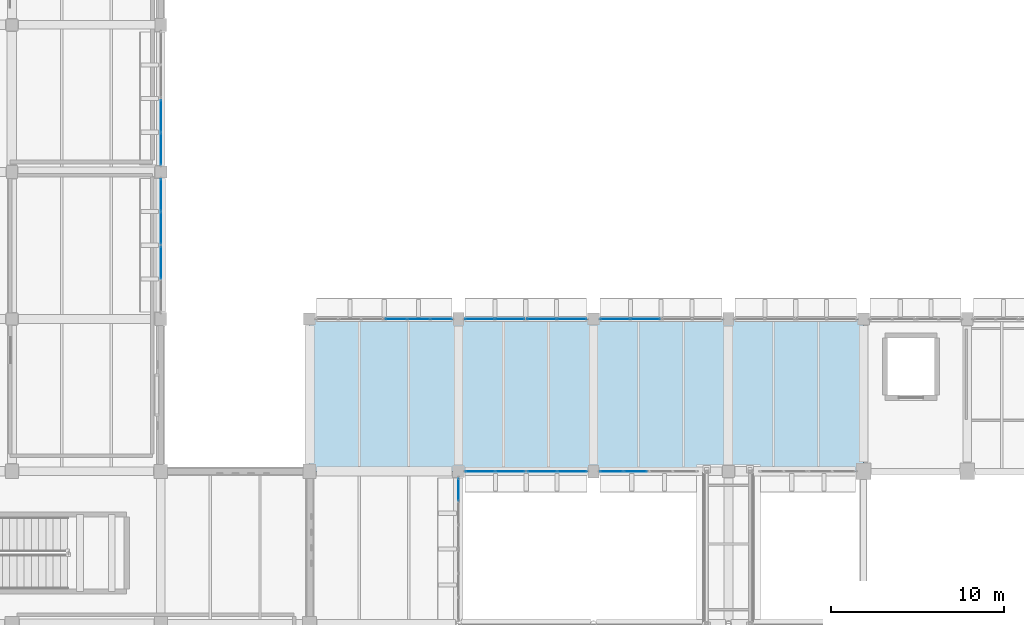
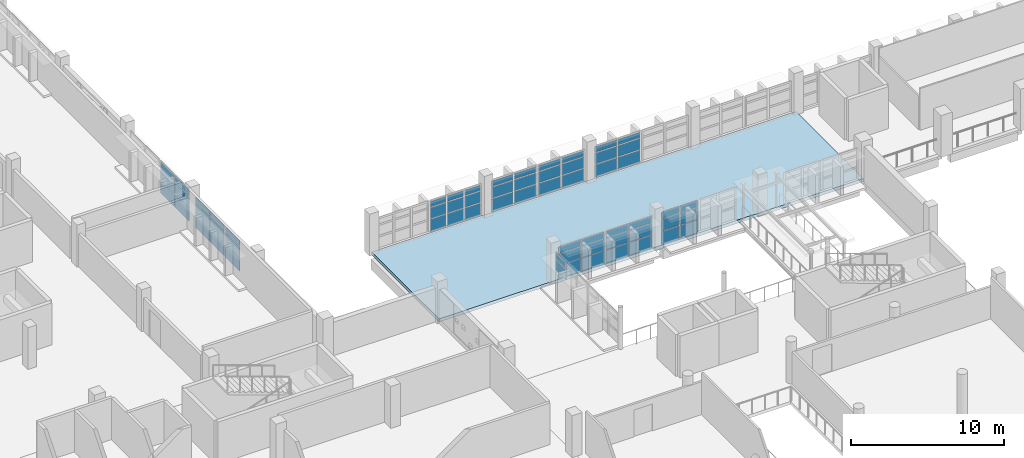
# One storey, part 47 of 75: 62 plates, 1 slab, 11 elements without a shape of their own.
"""IFC4 building model written with IfcOpenShell, lengths in metres."""

import ifcopenshell
import ifcopenshell.guid

model = None  # the IFC model being written
_history = None  # IfcOwnerHistory: only IFC2X3 demands one
_inside = {}  # id of a spatial element -> (the spatial element, [elements in it])
_under = {}  # id of a project, library or spatial element -> (it, [spatial elements below it])
_declared = {}  # id of a project -> (the project, [libraries it declares])
_typed = {}  # id of a type object -> (the type object, [elements of that type])
_made_of = {}  # id of a material, layer set ... -> (it, [elements and type objects made of it])


def new_model(schema):
    """Start an empty IFC model of exactly this schema.

    Asked for "IFC4X3", IfcOpenShell would pick the latest addendum, in which some entities
    have other attributes; the version numbers below select the first issue.
    IFC2X3 requires an IfcOwnerHistory on every rooted entity: one is made here for all.
    """
    global model, _history
    if schema == "IFC4X3":
        model = ifcopenshell.file(schema_version=(4, 3, 0, 0))
    else:
        model = ifcopenshell.file(schema=schema)
    _inside.clear()
    _under.clear()
    _declared.clear()
    _typed.clear()
    _made_of.clear()
    _history = None
    if model.schema == "IFC2X3":
        org = make("IfcOrganization", Name="unknown")
        user = make(
            "IfcPersonAndOrganization",
            ThePerson=make("IfcPerson", FamilyName="unknown"),
            TheOrganization=org,
        )
        app = make(
            "IfcApplication",
            ApplicationDeveloper=org,
            Version="unknown",
            ApplicationFullName="unknown",
            ApplicationIdentifier="unknown",
        )
        _history = make(
            "IfcOwnerHistory",
            OwningUser=user,
            OwningApplication=app,
            ChangeAction="ADDED",
            CreationDate=0,
        )
    return model


def make(cls, **values):
    """One entity of the class cls with the attributes given. An attribute that is None is left unset."""
    return model.create_entity(
        cls, **{name: value for name, value in values.items() if value is not None}
    )


def rooted(cls, **values):
    """An entity with a GlobalId (a new one), such as an element, a storey or a relation."""
    return make(cls, GlobalId=ifcopenshell.guid.new(), OwnerHistory=_history, **values)


def si_unit(unit_type, name, prefix=None):
    """IfcSIUnit, for example si_unit("LENGTHUNIT", "METRE", prefix="MILLI")."""
    return make("IfcSIUnit", UnitType=unit_type, Prefix=prefix, Name=name)


def assignment(units):
    """IfcUnitAssignment: the units of a project."""
    return None if units is None else make("IfcUnitAssignment", Units=units)


def point(xyz):
    """IfcCartesianPoint."""
    return None if xyz is None else make("IfcCartesianPoint", Coordinates=xyz)


def direction(xyz):
    """IfcDirection."""
    return None if xyz is None else make("IfcDirection", DirectionRatios=xyz)


def frame(location, z_axis=None, x_axis=None):
    """IfcAxis2Placement3D, a coordinate frame: its origin and axes. An axis left out is left unset."""
    return make(
        "IfcAxis2Placement3D",
        Location=point(location),
        Axis=direction(z_axis),
        RefDirection=direction(x_axis),
    )


def frame_2d(location, x_axis=None):
    """IfcAxis2Placement2D, a coordinate frame in the plane: its origin and x axis."""
    return make(
        "IfcAxis2Placement2D", Location=point(location), RefDirection=direction(x_axis)
    )


def origin():
    """The frame at (0, 0, 0) with its axes left unset."""
    return frame((0.0, 0.0, 0.0))


def origin_2d():
    """The frame at (0, 0) in the plane with its x axis left unset."""
    return frame_2d((0.0, 0.0))


def place(relative_to, where):
    """IfcLocalPlacement: puts the frame where relative to a parent placement (None: the world)."""
    return make(
        "IfcLocalPlacement", PlacementRelTo=relative_to, RelativePlacement=where
    )


def context(
    kind, dimensions, precision=None, world=None, true_north=None, identifier=None
):
    """IfcGeometricRepresentationContext, for example the 3D "Model" context."""
    return make(
        "IfcGeometricRepresentationContext",
        ContextIdentifier=identifier,
        ContextType=kind,
        CoordinateSpaceDimension=dimensions,
        Precision=precision,
        WorldCoordinateSystem=world,
        TrueNorth=true_north,
    )


def subcontext(parent, identifier, kind, view, scale=None):
    """IfcGeometricRepresentationSubContext, for example "Body" below "Model"."""
    return make(
        "IfcGeometricRepresentationSubContext",
        ContextIdentifier=identifier,
        ContextType=kind,
        ParentContext=parent,
        TargetScale=scale,
        TargetView=view,
    )


def project(units=None, contexts=None):
    """IfcProject with its units and contexts."""
    return rooted(
        "IfcProject",
        Name="project",
        RepresentationContexts=contexts,
        UnitsInContext=assignment(units),
    )


def spatial(cls, under=None, at=None, **own):
    """A site, building, storey or space (cls), placed at a placement, below another one or the project."""
    s = rooted(cls, ObjectPlacement=at, **own)
    if under is not None:
        _under.setdefault(under.id(), (under, []))[1].append(s)
    return s


def polyline(points):
    """IfcPolyline through the points."""
    return make("IfcPolyline", Points=[point(p) for p in points])


def profile(cls, at=None, kind="AREA", **sizes):
    """A parametric profile (cls). Its sizes go by their IFC names, for example OverallWidth=200.0."""
    return make(cls, ProfileType=kind, Position=at, **sizes)


def rectangle(**sizes):
    """IfcRectangleProfileDef."""
    return profile("IfcRectangleProfileDef", **sizes)


def outline(outer, holes=None, kind="AREA"):
    """IfcArbitraryClosedProfileDef: a profile drawn as a closed curve; with holes, ...WithVoids."""
    if holes is None:
        return make("IfcArbitraryClosedProfileDef", ProfileType=kind, OuterCurve=outer)
    return make(
        "IfcArbitraryProfileDefWithVoids",
        ProfileType=kind,
        OuterCurve=outer,
        InnerCurves=holes,
    )


def extrude(swept, where, along, depth):
    """IfcExtrudedAreaSolid: the profile swept, set in the frame where, extruded along a direction by depth."""
    return make(
        "IfcExtrudedAreaSolid",
        SweptArea=swept,
        Position=where,
        ExtrudedDirection=direction(along),
        Depth=depth,
    )


def shape(context_of_items, identifier, shape_type, items):
    """IfcShapeRepresentation: the items that make up one representation, for example the "Body"."""
    return make(
        "IfcShapeRepresentation",
        ContextOfItems=context_of_items,
        RepresentationIdentifier=identifier,
        RepresentationType=shape_type,
        Items=items,
    )


def material(Name=None, Category=None):
    """IfcMaterial."""
    return make("IfcMaterial", Name=Name, Category=Category)


def layer(
    of_material, thickness, ventilated=None, Name=None, Category=None, Priority=None
):
    """IfcMaterialLayer: one layer of a wall or slab, of a material (None: an air gap)."""
    return make(
        "IfcMaterialLayer",
        Material=of_material,
        LayerThickness=thickness,
        IsVentilated=ventilated,
        Name=Name,
        Category=Category,
        Priority=Priority,
    )


def layer_set(layers, Name=None):
    """IfcMaterialLayerSet."""
    return make("IfcMaterialLayerSet", MaterialLayers=layers, LayerSetName=Name)


def made_of(thing, what):
    """Note that an element or type object is made of a material, layer set ...; save() writes the relation."""
    if what is not None:
        _made_of.setdefault(what.id(), (what, []))[1].append(thing)
    return thing


def type_object(cls, material=None, **own):
    """A type object (cls), such as IfcWallType, which elements share."""
    return made_of(rooted(cls, **own), material)


def element(
    cls,
    number,
    at=None,
    inside=None,
    cuts=None,
    type_object=None,
    material=None,
    context=None,
    identifier="Body",
    shape_type=None,
    held_by="IfcProductDefinitionShape",
    body=None,
    shapes=None,
    **own,
):
    """One element of the class cls, such as IfcWall. Its Tag is "e" and its number.

    at: its placement. inside: the storey or other place that contains it. cuts: it is an
    opening in that element (IfcRelVoidsElement). A single representation is given by context,
    identifier, shape_type and body (its items); several are given by shapes. held_by: the class
    of the entity that holds the representations. save() writes the other relations.
    """
    e = rooted(cls, Tag="e%d" % number, ObjectPlacement=at, **own)
    if body is not None:
        shapes = [shape(context, identifier, shape_type, body)]
    if shapes is not None:
        e.Representation = make(held_by, Representations=shapes)
    if inside is not None:
        _inside.setdefault(inside.id(), (inside, []))[1].append(e)
    if cuts is not None:
        rooted(
            "IfcRelVoidsElement", RelatingBuildingElement=cuts, RelatedOpeningElement=e
        )
    if type_object is not None:
        _typed.setdefault(type_object.id(), (type_object, []))[1].append(e)
    return made_of(e, material)


def aggregate(whole, parts):
    """IfcRelAggregates: a whole, such as a stair, and the parts it consists of."""
    return rooted("IfcRelAggregates", RelatingObject=whole, RelatedObjects=parts)


def save(model, path):
    """Write the relations noted so far, then the file.

    IfcRelAggregates (storeys below a building ...), IfcRelContainedInSpatialStructure (elements
    in a storey), IfcRelDefinesByType, IfcRelAssociatesMaterial and IfcRelDeclares: one each for
    every whole, place, type object, material and project.
    """
    for whole, parts in _under.values():
        aggregate(whole, parts)
    for where, things in _inside.values():
        rooted(
            "IfcRelContainedInSpatialStructure",
            RelatedElements=things,
            RelatingStructure=where,
        )
    for kind, things in _typed.values():
        rooted("IfcRelDefinesByType", RelatedObjects=things, RelatingType=kind)
    for what, things in _made_of.values():
        rooted("IfcRelAssociatesMaterial", RelatedObjects=things, RelatingMaterial=what)
    for by, libraries in _declared.values():
        rooted("IfcRelDeclares", RelatingContext=by, RelatedDefinitions=libraries)
    model.write(path)


model = new_model("IFC4")

# Units and contexts
model_context = context("Model", 3, precision=1e-05, world=origin(), true_north=direction((0.0, 1.0)))
body_context = subcontext(model_context, "Body", "Model", "MODEL_VIEW")
ifc_project = project(units=[si_unit("LENGTHUNIT", "METRE"), si_unit("AREAUNIT", "SQUARE_METRE"), si_unit("VOLUMEUNIT", "CUBIC_METRE"), si_unit("PLANEANGLEUNIT", "RADIAN"), si_unit("MASSUNIT", "GRAM", prefix="KILO")], contexts=[model_context])

# Site, building, storey
site_placement = place(None, origin())
site = spatial("IfcSite", under=ifc_project, at=site_placement, CompositionType="ELEMENT")
building_placement = place(site_placement, origin())
building = spatial("IfcBuilding", under=site, at=building_placement, Name="Varnakota Cinema and Media Centre", CompositionType="ELEMENT")
storey_placement = place(building_placement, frame((0.0, 0.0, 8.39990234375)))
storey = spatial("IfcBuildingStorey", under=building, at=storey_placement, Name="L02", CompositionType="ELEMENT", Elevation=8.39990234375)

# Curtain wall, plates
ifc_material_1 = material(Name="Thermally broken anodised aluminium AW-6063", Category="aluminium")
curtain_wall_type_1 = type_object("IfcCurtainWallType", Name="CW-STD-394x258", PredefinedType="USERDEFINED", material=ifc_material_1)
curtain_wall_1_placement = place(storey_placement, origin())
curtain_wall_1 = element("IfcCurtainWall", 1, at=curtain_wall_1_placement, inside=storey, type_object=curtain_wall_type_1, Name="L02 curtain wall CW-L02-LINK-N-01-2", ObjectType="UNITISED CURTAIN WALL", PredefinedType="USERDEFINED")
ifc_material_2 = material(Name="Laminated solar-control double glazing", Category="glass")
ifc_layer_1 = layer(ifc_material_2, 0.028076171875)
ifc_layer_set_1 = layer_set([ifc_layer_1], Name="Laminated solar-control double glazing")
plate_type = type_object("IfcPlateType", Name="CWP-DGU-28", PredefinedType="CURTAIN_PANEL", material=ifc_layer_set_1)
plate_1_placement = place(storey_placement, frame((48.005859375, 44.0, 0.065185546875), z_axis=(0.0, 0.0, 1.0), x_axis=(1.0, 0.0, 0.0)))
plate_1 = element("IfcPlate", 2, at=plate_1_placement, type_object=plate_type, Name="CW30 panel 1.1", PredefinedType="CURTAIN_PANEL", context=body_context, shape_type="SweptSolid", body=[
    extrude(rectangle(XDim=1.216552734375, YDim=0.028076171875, at=origin_2d()), origin(), (0.0, 0.0, 1.0), 0.98388671875),
])
plate_2_placement = place(storey_placement, frame((48.005859375, 44.0, 1.1142578125), z_axis=(0.0, 0.0, 1.0), x_axis=(1.0, 0.0, 0.0)))
plate_2 = element("IfcPlate", 3, at=plate_2_placement, type_object=plate_type, Name="CW30 panel 1.2", PredefinedType="CURTAIN_PANEL", context=body_context, shape_type="SweptSolid", body=[
    extrude(rectangle(XDim=1.216552734375, YDim=0.028076171875, at=origin_2d()), origin(), (0.0, 0.0, 1.0), 0.862060546875),
])
plate_3_placement = place(storey_placement, frame((48.005859375, 44.0, 2.041015625), z_axis=(0.0, 0.0, 1.0), x_axis=(1.0, 0.0, 0.0)))
plate_3 = element("IfcPlate", 4, at=plate_3_placement, type_object=plate_type, Name="CW30 panel 1.3", PredefinedType="CURTAIN_PANEL", context=body_context, shape_type="SweptSolid", body=[
    extrude(rectangle(XDim=1.216552734375, YDim=0.028076171875, at=origin_2d()), origin(), (0.0, 0.0, 1.0), 0.468994140625),
])
plate_4_placement = place(storey_placement, frame((49.3037109375, 44.0, 0.065185546875), z_axis=(0.0, 0.0, 1.0), x_axis=(1.0, 0.0, 0.0)))
plate_4 = element("IfcPlate", 5, at=plate_4_placement, type_object=plate_type, Name="CW30 panel 2.1", PredefinedType="CURTAIN_PANEL", context=body_context, shape_type="SweptSolid", body=[
    extrude(rectangle(XDim=1.249267578125, YDim=0.028076171875, at=origin_2d()), origin(), (0.0, 0.0, 1.0), 0.98388671875),
])
plate_5_placement = place(storey_placement, frame((49.3037109375, 44.0, 1.1142578125), z_axis=(0.0, 0.0, 1.0), x_axis=(1.0, 0.0, 0.0)))
plate_5 = element("IfcPlate", 6, at=plate_5_placement, type_object=plate_type, Name="CW30 panel 2.2", PredefinedType="CURTAIN_PANEL", context=body_context, shape_type="SweptSolid", body=[
    extrude(rectangle(XDim=1.249267578125, YDim=0.028076171875, at=origin_2d()), origin(), (0.0, 0.0, 1.0), 0.862060546875),
])
plate_6_placement = place(storey_placement, frame((49.3037109375, 44.0, 2.041015625), z_axis=(0.0, 0.0, 1.0), x_axis=(1.0, 0.0, 0.0)))
plate_6 = element("IfcPlate", 7, at=plate_6_placement, type_object=plate_type, Name="CW30 panel 2.3", PredefinedType="CURTAIN_PANEL", context=body_context, shape_type="SweptSolid", body=[
    extrude(rectangle(XDim=1.249267578125, YDim=0.028076171875, at=origin_2d()), origin(), (0.0, 0.0, 1.0), 0.468994140625),
])
plate_7_placement = place(storey_placement, frame((50.6015625, 44.0, 0.065185546875), z_axis=(0.0, 0.0, 1.0), x_axis=(1.0, 0.0, 0.0)))
plate_7 = element("IfcPlate", 8, at=plate_7_placement, type_object=plate_type, Name="CW30 panel 3.1", PredefinedType="CURTAIN_PANEL", context=body_context, shape_type="SweptSolid", body=[
    extrude(rectangle(XDim=1.216552734375, YDim=0.028076171875, at=origin_2d()), origin(), (0.0, 0.0, 1.0), 0.98388671875),
])
plate_8_placement = place(storey_placement, frame((50.6015625, 44.0, 1.1142578125), z_axis=(0.0, 0.0, 1.0), x_axis=(1.0, 0.0, 0.0)))
plate_8 = element("IfcPlate", 9, at=plate_8_placement, type_object=plate_type, Name="CW30 panel 3.2", PredefinedType="CURTAIN_PANEL", context=body_context, shape_type="SweptSolid", body=[
    extrude(rectangle(XDim=1.216552734375, YDim=0.028076171875, at=origin_2d()), origin(), (0.0, 0.0, 1.0), 0.862060546875),
])
plate_9_placement = place(storey_placement, frame((50.6015625, 44.0, 2.041015625), z_axis=(0.0, 0.0, 1.0), x_axis=(1.0, 0.0, 0.0)))
plate_9 = element("IfcPlate", 10, at=plate_9_placement, type_object=plate_type, Name="CW30 panel 3.3", PredefinedType="CURTAIN_PANEL", context=body_context, shape_type="SweptSolid", body=[
    extrude(rectangle(XDim=1.216552734375, YDim=0.028076171875, at=origin_2d()), origin(), (0.0, 0.0, 1.0), 0.468994140625),
])
aggregate(curtain_wall_1, [plate_1, plate_2, plate_3, plate_4, plate_5, plate_6, plate_7, plate_8, plate_9])

ifc_material_3 = material(Name="Thermally broken anodised aluminium AW-6063", Category="aluminium")
curtain_wall_type_2 = type_object("IfcCurtainWallType", Name="CW-STD-354x258", PredefinedType="USERDEFINED", material=ifc_material_3)
curtain_wall_2_placement = place(storey_placement, origin())
curtain_wall_2 = element("IfcCurtainWall", 11, at=curtain_wall_2_placement, inside=storey, type_object=curtain_wall_type_2, Name="L02 curtain wall CW-L02-LINK-N-02-1", ObjectType="UNITISED CURTAIN WALL", PredefinedType="USERDEFINED")
plate_10_placement = place(storey_placement, frame((52.826904296875, 44.0, 0.065185546875), z_axis=(0.0, 0.0, 1.0), x_axis=(1.0, 0.0, 0.0)))
plate_10 = element("IfcPlate", 12, at=plate_10_placement, type_object=plate_type, Name="CW31 panel 1.1", PredefinedType="CURTAIN_PANEL", context=body_context, shape_type="SweptSolid", body=[
    extrude(rectangle(XDim=1.673828125, YDim=0.028076171875, at=origin_2d()), origin(), (0.0, 0.0, 1.0), 0.98388671875),
])
plate_11_placement = place(storey_placement, frame((52.826904296875, 44.0, 1.1142578125), z_axis=(0.0, 0.0, 1.0), x_axis=(1.0, 0.0, 0.0)))
plate_11 = element("IfcPlate", 13, at=plate_11_placement, type_object=plate_type, Name="CW31 panel 1.2", PredefinedType="CURTAIN_PANEL", context=body_context, shape_type="SweptSolid", body=[
    extrude(rectangle(XDim=1.673828125, YDim=0.028076171875, at=origin_2d()), origin(), (0.0, 0.0, 1.0), 0.862060546875),
])
plate_12_placement = place(storey_placement, frame((52.826904296875, 44.0, 2.041015625), z_axis=(0.0, 0.0, 1.0), x_axis=(1.0, 0.0, 0.0)))
plate_12 = element("IfcPlate", 14, at=plate_12_placement, type_object=plate_type, Name="CW31 panel 1.3", PredefinedType="CURTAIN_PANEL", context=body_context, shape_type="SweptSolid", body=[
    extrude(rectangle(XDim=1.673828125, YDim=0.028076171875, at=origin_2d()), origin(), (0.0, 0.0, 1.0), 0.468994140625),
])
plate_13_placement = place(storey_placement, frame((54.565673828125, 44.0, 0.065185546875), z_axis=(0.0, 0.0, 1.0), x_axis=(1.0, 0.0, 0.0)))
plate_13 = element("IfcPlate", 15, at=plate_13_placement, type_object=plate_type, Name="CW31 panel 2.1", PredefinedType="CURTAIN_PANEL", context=body_context, shape_type="SweptSolid", body=[
    extrude(rectangle(XDim=1.673828125, YDim=0.028076171875, at=origin_2d()), origin(), (0.0, 0.0, 1.0), 0.98388671875),
])
plate_14_placement = place(storey_placement, frame((54.565673828125, 44.0, 1.1142578125), z_axis=(0.0, 0.0, 1.0), x_axis=(1.0, 0.0, 0.0)))
plate_14 = element("IfcPlate", 16, at=plate_14_placement, type_object=plate_type, Name="CW31 panel 2.2", PredefinedType="CURTAIN_PANEL", context=body_context, shape_type="SweptSolid", body=[
    extrude(rectangle(XDim=1.673828125, YDim=0.028076171875, at=origin_2d()), origin(), (0.0, 0.0, 1.0), 0.862060546875),
])
plate_15_placement = place(storey_placement, frame((54.565673828125, 44.0, 2.041015625), z_axis=(0.0, 0.0, 1.0), x_axis=(1.0, 0.0, 0.0)))
plate_15 = element("IfcPlate", 17, at=plate_15_placement, type_object=plate_type, Name="CW31 panel 2.3", PredefinedType="CURTAIN_PANEL", context=body_context, shape_type="SweptSolid", body=[
    extrude(rectangle(XDim=1.673828125, YDim=0.028076171875, at=origin_2d()), origin(), (0.0, 0.0, 1.0), 0.468994140625),
])
aggregate(curtain_wall_2, [plate_10, plate_11, plate_12, plate_13, plate_14, plate_15])

curtain_wall_3_placement = place(storey_placement, origin())
curtain_wall_3 = element("IfcCurtainWall", 18, at=curtain_wall_3_placement, inside=storey, type_object=curtain_wall_type_2, Name="L02 curtain wall CW-L02-LINK-N-02-2", ObjectType="UNITISED CURTAIN WALL", PredefinedType="USERDEFINED")
plate_16_placement = place(storey_placement, frame((56.409423828125, 44.0, 0.065185546875), z_axis=(0.0, 0.0, 1.0), x_axis=(1.0, 0.0, 0.0)))
plate_16 = element("IfcPlate", 19, at=plate_16_placement, type_object=plate_type, Name="CW31 panel 1.1", PredefinedType="CURTAIN_PANEL", context=body_context, shape_type="SweptSolid", body=[
    extrude(rectangle(XDim=1.673828125, YDim=0.028076171875, at=origin_2d()), origin(), (0.0, 0.0, 1.0), 0.98388671875),
])
plate_17_placement = place(storey_placement, frame((56.409423828125, 44.0, 1.1142578125), z_axis=(0.0, 0.0, 1.0), x_axis=(1.0, 0.0, 0.0)))
plate_17 = element("IfcPlate", 20, at=plate_17_placement, type_object=plate_type, Name="CW31 panel 1.2", PredefinedType="CURTAIN_PANEL", context=body_context, shape_type="SweptSolid", body=[
    extrude(rectangle(XDim=1.673828125, YDim=0.028076171875, at=origin_2d()), origin(), (0.0, 0.0, 1.0), 0.862060546875),
])
plate_18_placement = place(storey_placement, frame((56.409423828125, 44.0, 2.041015625), z_axis=(0.0, 0.0, 1.0), x_axis=(1.0, 0.0, 0.0)))
plate_18 = element("IfcPlate", 21, at=plate_18_placement, type_object=plate_type, Name="CW31 panel 1.3", PredefinedType="CURTAIN_PANEL", context=body_context, shape_type="SweptSolid", body=[
    extrude(rectangle(XDim=1.673828125, YDim=0.028076171875, at=origin_2d()), origin(), (0.0, 0.0, 1.0), 0.468994140625),
])
plate_19_placement = place(storey_placement, frame((58.148193359375, 44.0, 0.065185546875), z_axis=(0.0, 0.0, 1.0), x_axis=(1.0, 0.0, 0.0)))
plate_19 = element("IfcPlate", 22, at=plate_19_placement, type_object=plate_type, Name="CW31 panel 2.1", PredefinedType="CURTAIN_PANEL", context=body_context, shape_type="SweptSolid", body=[
    extrude(rectangle(XDim=1.673828125, YDim=0.028076171875, at=origin_2d()), origin(), (0.0, 0.0, 1.0), 0.98388671875),
])
plate_20_placement = place(storey_placement, frame((58.148193359375, 44.0, 1.1142578125), z_axis=(0.0, 0.0, 1.0), x_axis=(1.0, 0.0, 0.0)))
plate_20 = element("IfcPlate", 23, at=plate_20_placement, type_object=plate_type, Name="CW31 panel 2.2", PredefinedType="CURTAIN_PANEL", context=body_context, shape_type="SweptSolid", body=[
    extrude(rectangle(XDim=1.673828125, YDim=0.028076171875, at=origin_2d()), origin(), (0.0, 0.0, 1.0), 0.862060546875),
])
plate_21_placement = place(storey_placement, frame((58.148193359375, 44.0, 2.041015625), z_axis=(0.0, 0.0, 1.0), x_axis=(1.0, 0.0, 0.0)))
plate_21 = element("IfcPlate", 24, at=plate_21_placement, type_object=plate_type, Name="CW31 panel 2.3", PredefinedType="CURTAIN_PANEL", context=body_context, shape_type="SweptSolid", body=[
    extrude(rectangle(XDim=1.673828125, YDim=0.028076171875, at=origin_2d()), origin(), (0.0, 0.0, 1.0), 0.468994140625),
])
aggregate(curtain_wall_3, [plate_16, plate_17, plate_18, plate_19, plate_20, plate_21])

curtain_wall_4_placement = place(storey_placement, origin())
curtain_wall_4 = element("IfcCurtainWall", 25, at=curtain_wall_4_placement, inside=storey, type_object=curtain_wall_type_2, Name="L02 curtain wall CW-L02-LINK-N-03-1", ObjectType="UNITISED CURTAIN WALL", PredefinedType="USERDEFINED")
plate_22_placement = place(storey_placement, frame((60.65185546875, 44.0, 0.065185546875), z_axis=(0.0, 0.0, 1.0), x_axis=(1.0, 0.0, 0.0)))
plate_22 = element("IfcPlate", 26, at=plate_22_placement, type_object=plate_type, Name="CW31 panel 1.1", PredefinedType="CURTAIN_PANEL", context=body_context, shape_type="SweptSolid", body=[
    extrude(rectangle(XDim=1.673828125, YDim=0.028076171875, at=origin_2d()), origin(), (0.0, 0.0, 1.0), 0.98388671875),
])
plate_23_placement = place(storey_placement, frame((60.65185546875, 44.0, 1.1142578125), z_axis=(0.0, 0.0, 1.0), x_axis=(1.0, 0.0, 0.0)))
plate_23 = element("IfcPlate", 27, at=plate_23_placement, type_object=plate_type, Name="CW31 panel 1.2", PredefinedType="CURTAIN_PANEL", context=body_context, shape_type="SweptSolid", body=[
    extrude(rectangle(XDim=1.673828125, YDim=0.028076171875, at=origin_2d()), origin(), (0.0, 0.0, 1.0), 0.862060546875),
])
plate_24_placement = place(storey_placement, frame((60.65185546875, 44.0, 2.041015625), z_axis=(0.0, 0.0, 1.0), x_axis=(1.0, 0.0, 0.0)))
plate_24 = element("IfcPlate", 28, at=plate_24_placement, type_object=plate_type, Name="CW31 panel 1.3", PredefinedType="CURTAIN_PANEL", context=body_context, shape_type="SweptSolid", body=[
    extrude(rectangle(XDim=1.673828125, YDim=0.028076171875, at=origin_2d()), origin(), (0.0, 0.0, 1.0), 0.468994140625),
])
plate_25_placement = place(storey_placement, frame((62.390625, 44.0, 0.065185546875), z_axis=(0.0, 0.0, 1.0), x_axis=(1.0, 0.0, 0.0)))
plate_25 = element("IfcPlate", 29, at=plate_25_placement, type_object=plate_type, Name="CW31 panel 2.1", PredefinedType="CURTAIN_PANEL", context=body_context, shape_type="SweptSolid", body=[
    extrude(rectangle(XDim=1.673828125, YDim=0.028076171875, at=origin_2d()), origin(), (0.0, 0.0, 1.0), 0.98388671875),
])
plate_26_placement = place(storey_placement, frame((62.390625, 44.0, 1.1142578125), z_axis=(0.0, 0.0, 1.0), x_axis=(1.0, 0.0, 0.0)))
plate_26 = element("IfcPlate", 30, at=plate_26_placement, type_object=plate_type, Name="CW31 panel 2.2", PredefinedType="CURTAIN_PANEL", context=body_context, shape_type="SweptSolid", body=[
    extrude(rectangle(XDim=1.673828125, YDim=0.028076171875, at=origin_2d()), origin(), (0.0, 0.0, 1.0), 0.862060546875),
])
plate_27_placement = place(storey_placement, frame((62.390625, 44.0, 2.041015625), z_axis=(0.0, 0.0, 1.0), x_axis=(1.0, 0.0, 0.0)))
plate_27 = element("IfcPlate", 31, at=plate_27_placement, type_object=plate_type, Name="CW31 panel 2.3", PredefinedType="CURTAIN_PANEL", context=body_context, shape_type="SweptSolid", body=[
    extrude(rectangle(XDim=1.673828125, YDim=0.028076171875, at=origin_2d()), origin(), (0.0, 0.0, 1.0), 0.468994140625),
])
aggregate(curtain_wall_4, [plate_22, plate_23, plate_24, plate_25, plate_26, plate_27])

ifc_material_4 = material(Name="Thermally broken anodised aluminium AW-6063", Category="aluminium")
curtain_wall_type_3 = type_object("IfcCurtainWallType", Name="CW-STD-282x268", PredefinedType="USERDEFINED", material=ifc_material_4)
curtain_wall_5_placement = place(storey_placement, origin())
curtain_wall_5 = element("IfcCurtainWall", 32, at=curtain_wall_5_placement, inside=storey, type_object=curtain_wall_type_3, Name="L02 curtain wall CW-L02-LINK-S-W-01-2", ObjectType="UNITISED CURTAIN WALL", PredefinedType="USERDEFINED")
plate_28_placement = place(storey_placement, frame((61.82177734375, 35.199951171875, 0.065185546875), z_axis=(0.0, 0.0, 1.0), x_axis=(-1.0, 0.0, 0.0)))
plate_28 = element("IfcPlate", 33, at=plate_28_placement, type_object=plate_type, Name="CW32 panel 1.1", PredefinedType="CURTAIN_PANEL", context=body_context, shape_type="SweptSolid", body=[
    extrude(rectangle(XDim=1.311279296875, YDim=0.028076171875, at=origin_2d()), origin(), (0.0, 0.0, 1.0), 1.02587890625),
])
plate_29_placement = place(storey_placement, frame((61.82177734375, 35.199951171875, 1.156005859375), z_axis=(0.0, 0.0, 1.0), x_axis=(-1.0, 0.0, 0.0)))
plate_29 = element("IfcPlate", 34, at=plate_29_placement, type_object=plate_type, Name="CW32 panel 1.2", PredefinedType="CURTAIN_PANEL", context=body_context, shape_type="SweptSolid", body=[
    extrude(rectangle(XDim=1.311279296875, YDim=0.028076171875, at=origin_2d()), origin(), (0.0, 0.0, 1.0), 0.89794921875),
])
plate_30_placement = place(storey_placement, frame((61.82177734375, 35.199951171875, 2.119140625), z_axis=(0.0, 0.0, 1.0), x_axis=(-1.0, 0.0, 0.0)))
plate_30 = element("IfcPlate", 35, at=plate_30_placement, type_object=plate_type, Name="CW32 panel 1.3", PredefinedType="CURTAIN_PANEL", context=body_context, shape_type="SweptSolid", body=[
    extrude(rectangle(XDim=1.311279296875, YDim=0.028076171875, at=origin_2d()), origin(), (0.0, 0.0, 1.0), 0.490966796875),
])
plate_31_placement = place(storey_placement, frame((60.445556640625, 35.199951171875, 0.065185546875), z_axis=(0.0, 0.0, 1.0), x_axis=(-1.0, 0.0, 0.0)))
plate_31 = element("IfcPlate", 36, at=plate_31_placement, type_object=plate_type, Name="CW32 panel 2.1", PredefinedType="CURTAIN_PANEL", context=body_context, shape_type="SweptSolid", body=[
    extrude(rectangle(XDim=1.311279296875, YDim=0.028076171875, at=origin_2d()), origin(), (0.0, 0.0, 1.0), 1.02587890625),
])
plate_32_placement = place(storey_placement, frame((60.445556640625, 35.199951171875, 1.156005859375), z_axis=(0.0, 0.0, 1.0), x_axis=(-1.0, 0.0, 0.0)))
plate_32 = element("IfcPlate", 37, at=plate_32_placement, type_object=plate_type, Name="CW32 panel 2.2", PredefinedType="CURTAIN_PANEL", context=body_context, shape_type="SweptSolid", body=[
    extrude(rectangle(XDim=1.311279296875, YDim=0.028076171875, at=origin_2d()), origin(), (0.0, 0.0, 1.0), 0.89794921875),
])
plate_33_placement = place(storey_placement, frame((60.445556640625, 35.199951171875, 2.119140625), z_axis=(0.0, 0.0, 1.0), x_axis=(-1.0, 0.0, 0.0)))
plate_33 = element("IfcPlate", 38, at=plate_33_placement, type_object=plate_type, Name="CW32 panel 2.3", PredefinedType="CURTAIN_PANEL", context=body_context, shape_type="SweptSolid", body=[
    extrude(rectangle(XDim=1.311279296875, YDim=0.028076171875, at=origin_2d()), origin(), (0.0, 0.0, 1.0), 0.490966796875),
])
aggregate(curtain_wall_5, [plate_28, plate_29, plate_30, plate_31, plate_32, plate_33])

ifc_material_5 = material(Name="Thermally broken anodised aluminium AW-6063", Category="aluminium")
curtain_wall_type_4 = type_object("IfcCurtainWallType", Name="CW-STD-354x262", PredefinedType="USERDEFINED", material=ifc_material_5)
curtain_wall_6_placement = place(storey_placement, origin())
curtain_wall_6 = element("IfcCurtainWall", 39, at=curtain_wall_6_placement, inside=storey, type_object=curtain_wall_type_4, Name="L02 curtain wall CW-L02-LINK-S-W-02-1", ObjectType="UNITISED CURTAIN WALL", PredefinedType="USERDEFINED")
plate_34_placement = place(storey_placement, frame((58.173095703125, 35.199951171875, 0.065185546875), z_axis=(0.0, 0.0, 1.0), x_axis=(-1.0, 0.0, 0.0)))
plate_34 = element("IfcPlate", 40, at=plate_34_placement, type_object=plate_type, Name="CW33 panel 1.1", PredefinedType="CURTAIN_PANEL", context=body_context, shape_type="SweptSolid", body=[
    extrude(rectangle(XDim=1.673828125, YDim=0.028076171875, at=origin_2d()), origin(), (0.0, 0.0, 1.0), 1.0048828125),
])
plate_35_placement = place(storey_placement, frame((58.173095703125, 35.199951171875, 1.13525390625), z_axis=(0.0, 0.0, 1.0), x_axis=(-1.0, 0.0, 0.0)))
plate_35 = element("IfcPlate", 41, at=plate_35_placement, type_object=plate_type, Name="CW33 panel 1.2", PredefinedType="CURTAIN_PANEL", context=body_context, shape_type="SweptSolid", body=[
    extrude(rectangle(XDim=1.673828125, YDim=0.028076171875, at=origin_2d()), origin(), (0.0, 0.0, 1.0), 0.8798828125),
])
plate_36_placement = place(storey_placement, frame((58.173095703125, 35.199951171875, 2.080078125), z_axis=(0.0, 0.0, 1.0), x_axis=(-1.0, 0.0, 0.0)))
plate_36 = element("IfcPlate", 42, at=plate_36_placement, type_object=plate_type, Name="CW33 panel 1.3", PredefinedType="CURTAIN_PANEL", context=body_context, shape_type="SweptSolid", body=[
    extrude(rectangle(XDim=1.673828125, YDim=0.028076171875, at=origin_2d()), origin(), (0.0, 0.0, 1.0), 0.47998046875),
])
plate_37_placement = place(storey_placement, frame((56.434326171875, 35.199951171875, 0.065185546875), z_axis=(0.0, 0.0, 1.0), x_axis=(-1.0, 0.0, 0.0)))
plate_37 = element("IfcPlate", 43, at=plate_37_placement, type_object=plate_type, Name="CW33 panel 2.1", PredefinedType="CURTAIN_PANEL", context=body_context, shape_type="SweptSolid", body=[
    extrude(rectangle(XDim=1.673828125, YDim=0.028076171875, at=origin_2d()), origin(), (0.0, 0.0, 1.0), 1.0048828125),
])
plate_38_placement = place(storey_placement, frame((56.434326171875, 35.199951171875, 1.13525390625), z_axis=(0.0, 0.0, 1.0), x_axis=(-1.0, 0.0, 0.0)))
plate_38 = element("IfcPlate", 44, at=plate_38_placement, type_object=plate_type, Name="CW33 panel 2.2", PredefinedType="CURTAIN_PANEL", context=body_context, shape_type="SweptSolid", body=[
    extrude(rectangle(XDim=1.673828125, YDim=0.028076171875, at=origin_2d()), origin(), (0.0, 0.0, 1.0), 0.8798828125),
])
plate_39_placement = place(storey_placement, frame((56.434326171875, 35.199951171875, 2.080078125), z_axis=(0.0, 0.0, 1.0), x_axis=(-1.0, 0.0, 0.0)))
plate_39 = element("IfcPlate", 45, at=plate_39_placement, type_object=plate_type, Name="CW33 panel 2.3", PredefinedType="CURTAIN_PANEL", context=body_context, shape_type="SweptSolid", body=[
    extrude(rectangle(XDim=1.673828125, YDim=0.028076171875, at=origin_2d()), origin(), (0.0, 0.0, 1.0), 0.47998046875),
])
aggregate(curtain_wall_6, [plate_34, plate_35, plate_36, plate_37, plate_38, plate_39])

curtain_wall_7_placement = place(storey_placement, origin())
curtain_wall_7 = element("IfcCurtainWall", 46, at=curtain_wall_7_placement, inside=storey, type_object=curtain_wall_type_4, Name="L02 curtain wall CW-L02-LINK-S-W-02-2", ObjectType="UNITISED CURTAIN WALL", PredefinedType="USERDEFINED")
plate_40_placement = place(storey_placement, frame((54.590576171875, 35.199951171875, 0.065185546875), z_axis=(0.0, 0.0, 1.0), x_axis=(-1.0, 0.0, 0.0)))
plate_40 = element("IfcPlate", 47, at=plate_40_placement, type_object=plate_type, Name="CW33 panel 1.1", PredefinedType="CURTAIN_PANEL", context=body_context, shape_type="SweptSolid", body=[
    extrude(rectangle(XDim=1.673828125, YDim=0.028076171875, at=origin_2d()), origin(), (0.0, 0.0, 1.0), 1.0048828125),
])
plate_41_placement = place(storey_placement, frame((54.590576171875, 35.199951171875, 1.13525390625), z_axis=(0.0, 0.0, 1.0), x_axis=(-1.0, 0.0, 0.0)))
plate_41 = element("IfcPlate", 48, at=plate_41_placement, type_object=plate_type, Name="CW33 panel 1.2", PredefinedType="CURTAIN_PANEL", context=body_context, shape_type="SweptSolid", body=[
    extrude(rectangle(XDim=1.673828125, YDim=0.028076171875, at=origin_2d()), origin(), (0.0, 0.0, 1.0), 0.8798828125),
])
plate_42_placement = place(storey_placement, frame((54.590576171875, 35.199951171875, 2.080078125), z_axis=(0.0, 0.0, 1.0), x_axis=(-1.0, 0.0, 0.0)))
plate_42 = element("IfcPlate", 49, at=plate_42_placement, type_object=plate_type, Name="CW33 panel 1.3", PredefinedType="CURTAIN_PANEL", context=body_context, shape_type="SweptSolid", body=[
    extrude(rectangle(XDim=1.673828125, YDim=0.028076171875, at=origin_2d()), origin(), (0.0, 0.0, 1.0), 0.47998046875),
])
plate_43_placement = place(storey_placement, frame((52.851806640625, 35.199951171875, 0.065185546875), z_axis=(0.0, 0.0, 1.0), x_axis=(-1.0, 0.0, 0.0)))
plate_43 = element("IfcPlate", 50, at=plate_43_placement, type_object=plate_type, Name="CW33 panel 2.1", PredefinedType="CURTAIN_PANEL", context=body_context, shape_type="SweptSolid", body=[
    extrude(rectangle(XDim=1.673828125, YDim=0.028076171875, at=origin_2d()), origin(), (0.0, 0.0, 1.0), 1.0048828125),
])
plate_44_placement = place(storey_placement, frame((52.851806640625, 35.199951171875, 1.13525390625), z_axis=(0.0, 0.0, 1.0), x_axis=(-1.0, 0.0, 0.0)))
plate_44 = element("IfcPlate", 51, at=plate_44_placement, type_object=plate_type, Name="CW33 panel 2.2", PredefinedType="CURTAIN_PANEL", context=body_context, shape_type="SweptSolid", body=[
    extrude(rectangle(XDim=1.673828125, YDim=0.028076171875, at=origin_2d()), origin(), (0.0, 0.0, 1.0), 0.8798828125),
])
plate_45_placement = place(storey_placement, frame((52.851806640625, 35.199951171875, 2.080078125), z_axis=(0.0, 0.0, 1.0), x_axis=(-1.0, 0.0, 0.0)))
plate_45 = element("IfcPlate", 52, at=plate_45_placement, type_object=plate_type, Name="CW33 panel 2.3", PredefinedType="CURTAIN_PANEL", context=body_context, shape_type="SweptSolid", body=[
    extrude(rectangle(XDim=1.673828125, YDim=0.028076171875, at=origin_2d()), origin(), (0.0, 0.0, 1.0), 0.47998046875),
])
aggregate(curtain_wall_7, [plate_40, plate_41, plate_42, plate_43, plate_44, plate_45])

ifc_material_6 = material(Name="Thermally broken anodised aluminium AW-6063", Category="aluminium")
curtain_wall_type_5 = type_object("IfcCurtainWallType", Name="CW-STD-412x258", PredefinedType="USERDEFINED", material=ifc_material_6)
curtain_wall_8_placement = place(storey_placement, origin())
curtain_wall_8 = element("IfcCurtainWall", 53, at=curtain_wall_8_placement, inside=storey, type_object=curtain_wall_type_5, Name="L02 curtain wall CW-L02-WLINK-E-01-2", ObjectType="UNITISED CURTAIN WALL", PredefinedType="USERDEFINED")
plate_46_placement = place(storey_placement, frame((51.60009765625, 34.146484375, 1.1142578125), z_axis=(0.0, 0.0, 1.0), x_axis=(0.0, 1.0, 0.0)))
plate_46 = element("IfcPlate", 54, at=plate_46_placement, type_object=plate_type, Name="CW35 panel 3.2", PredefinedType="CURTAIN_PANEL", context=body_context, shape_type="SweptSolid", body=[
    extrude(rectangle(XDim=1.277099609375, YDim=0.028076171875, at=origin_2d()), origin(), (0.0, 0.0, 1.0), 0.862060546875),
])
plate_47_placement = place(storey_placement, frame((51.60009765625, 34.146484375, 2.041015625), z_axis=(0.0, 0.0, 1.0), x_axis=(0.0, 1.0, 0.0)))
plate_47 = element("IfcPlate", 55, at=plate_47_placement, type_object=plate_type, Name="CW35 panel 3.3", PredefinedType="CURTAIN_PANEL", context=body_context, shape_type="SweptSolid", body=[
    extrude(rectangle(XDim=1.277099609375, YDim=0.028076171875, at=origin_2d()), origin(), (0.0, 0.0, 1.0), 0.468994140625),
])
aggregate(curtain_wall_8, [plate_46, plate_47])

ifc_material_7 = material(Name="Thermally broken anodised aluminium AW-6063", Category="aluminium")
curtain_wall_type_6 = type_object("IfcCurtainWallType", Name="CW-STD-387x258", PredefinedType="USERDEFINED", material=ifc_material_7)
curtain_wall_9_placement = place(storey_placement, origin())
curtain_wall_9 = element("IfcCurtainWall", 56, at=curtain_wall_9_placement, inside=storey, type_object=curtain_wall_type_6, Name="L02 curtain wall CW-L02-V5-E-02-1", ObjectType="UNITISED CURTAIN WALL", PredefinedType="USERDEFINED")
plate_48_placement = place(storey_placement, frame((34.39990234375, 47.25927734375, 0.065185546875), z_axis=(0.0, 0.0, 1.0), x_axis=(0.0, 1.0, 0.0)))
plate_48 = element("IfcPlate", 57, at=plate_48_placement, type_object=plate_type, Name="CW36 panel 2.1", PredefinedType="CURTAIN_PANEL", context=body_context, shape_type="SweptSolid", body=[
    extrude(rectangle(XDim=1.836181640625, YDim=0.028076171875, at=origin_2d()), origin(), (0.0, 0.0, 1.0), 0.98388671875),
])
plate_49_placement = place(storey_placement, frame((34.39990234375, 47.25927734375, 1.1142578125), z_axis=(0.0, 0.0, 1.0), x_axis=(0.0, 1.0, 0.0)))
plate_49 = element("IfcPlate", 58, at=plate_49_placement, type_object=plate_type, Name="CW36 panel 2.2", PredefinedType="CURTAIN_PANEL", context=body_context, shape_type="SweptSolid", body=[
    extrude(rectangle(XDim=1.836181640625, YDim=0.028076171875, at=origin_2d()), origin(), (0.0, 0.0, 1.0), 0.862060546875),
])
plate_50_placement = place(storey_placement, frame((34.39990234375, 47.25927734375, 2.041015625), z_axis=(0.0, 0.0, 1.0), x_axis=(0.0, 1.0, 0.0)))
plate_50 = element("IfcPlate", 59, at=plate_50_placement, type_object=plate_type, Name="CW36 panel 2.3", PredefinedType="CURTAIN_PANEL", context=body_context, shape_type="SweptSolid", body=[
    extrude(rectangle(XDim=1.836181640625, YDim=0.028076171875, at=origin_2d()), origin(), (0.0, 0.0, 1.0), 0.468994140625),
])
aggregate(curtain_wall_9, [plate_48, plate_49, plate_50])

curtain_wall_10_placement = place(storey_placement, origin())
curtain_wall_10 = element("IfcCurtainWall", 60, at=curtain_wall_10_placement, inside=storey, type_object=curtain_wall_type_6, Name="L02 curtain wall CW-L02-V5-E-02-2", ObjectType="UNITISED CURTAIN WALL", PredefinedType="USERDEFINED")
plate_51_placement = place(storey_placement, frame((34.39990234375, 49.265625, 0.065185546875), z_axis=(0.0, 0.0, 1.0), x_axis=(0.0, 1.0, 0.0)))
plate_51 = element("IfcPlate", 61, at=plate_51_placement, type_object=plate_type, Name="CW36 panel 1.1", PredefinedType="CURTAIN_PANEL", context=body_context, shape_type="SweptSolid", body=[
    extrude(rectangle(XDim=1.836181640625, YDim=0.028076171875, at=origin_2d()), origin(), (0.0, 0.0, 1.0), 0.98388671875),
])
plate_52_placement = place(storey_placement, frame((34.39990234375, 49.265625, 1.1142578125), z_axis=(0.0, 0.0, 1.0), x_axis=(0.0, 1.0, 0.0)))
plate_52 = element("IfcPlate", 62, at=plate_52_placement, type_object=plate_type, Name="CW36 panel 1.2", PredefinedType="CURTAIN_PANEL", context=body_context, shape_type="SweptSolid", body=[
    extrude(rectangle(XDim=1.836181640625, YDim=0.028076171875, at=origin_2d()), origin(), (0.0, 0.0, 1.0), 0.862060546875),
])
plate_53_placement = place(storey_placement, frame((34.39990234375, 49.265625, 2.041015625), z_axis=(0.0, 0.0, 1.0), x_axis=(0.0, 1.0, 0.0)))
plate_53 = element("IfcPlate", 63, at=plate_53_placement, type_object=plate_type, Name="CW36 panel 1.3", PredefinedType="CURTAIN_PANEL", context=body_context, shape_type="SweptSolid", body=[
    extrude(rectangle(XDim=1.836181640625, YDim=0.028076171875, at=origin_2d()), origin(), (0.0, 0.0, 1.0), 0.468994140625),
])
plate_54_placement = place(storey_placement, frame((34.39990234375, 51.1669921875, 0.065185546875), z_axis=(0.0, 0.0, 1.0), x_axis=(0.0, 1.0, 0.0)))
plate_54 = element("IfcPlate", 64, at=plate_54_placement, type_object=plate_type, Name="CW36 panel 2.1", PredefinedType="CURTAIN_PANEL", context=body_context, shape_type="SweptSolid", body=[
    extrude(rectangle(XDim=1.836181640625, YDim=0.028076171875, at=origin_2d()), origin(), (0.0, 0.0, 1.0), 0.98388671875),
])
plate_55_placement = place(storey_placement, frame((34.39990234375, 51.1669921875, 1.1142578125), z_axis=(0.0, 0.0, 1.0), x_axis=(0.0, 1.0, 0.0)))
plate_55 = element("IfcPlate", 65, at=plate_55_placement, type_object=plate_type, Name="CW36 panel 2.2", PredefinedType="CURTAIN_PANEL", context=body_context, shape_type="SweptSolid", body=[
    extrude(rectangle(XDim=1.836181640625, YDim=0.028076171875, at=origin_2d()), origin(), (0.0, 0.0, 1.0), 0.862060546875),
])
plate_56_placement = place(storey_placement, frame((34.39990234375, 51.1669921875, 2.041015625), z_axis=(0.0, 0.0, 1.0), x_axis=(0.0, 1.0, 0.0)))
plate_56 = element("IfcPlate", 66, at=plate_56_placement, type_object=plate_type, Name="CW36 panel 2.3", PredefinedType="CURTAIN_PANEL", context=body_context, shape_type="SweptSolid", body=[
    extrude(rectangle(XDim=1.836181640625, YDim=0.028076171875, at=origin_2d()), origin(), (0.0, 0.0, 1.0), 0.468994140625),
])
aggregate(curtain_wall_10, [plate_51, plate_52, plate_53, plate_54, plate_55, plate_56])

ifc_material_8 = material(Name="Thermally broken anodised aluminium AW-6063", Category="aluminium")
curtain_wall_type_7 = type_object("IfcCurtainWallType", Name="CW-STD-387x262", PredefinedType="USERDEFINED", material=ifc_material_8)
curtain_wall_11_placement = place(storey_placement, origin())
curtain_wall_11 = element("IfcCurtainWall", 67, at=curtain_wall_11_placement, inside=storey, type_object=curtain_wall_type_7, Name="L02 curtain wall CW-L02-V5-E-03-1", ObjectType="UNITISED CURTAIN WALL", PredefinedType="USERDEFINED")
plate_57_placement = place(storey_placement, frame((34.39990234375, 53.8330078125, 0.065185546875), z_axis=(0.0, 0.0, 1.0), x_axis=(0.0, 1.0, 0.0)))
plate_57 = element("IfcPlate", 68, at=plate_57_placement, type_object=plate_type, Name="CW37 panel 1.1", PredefinedType="CURTAIN_PANEL", context=body_context, shape_type="SweptSolid", body=[
    extrude(rectangle(XDim=1.836181640625, YDim=0.028076171875, at=origin_2d()), origin(), (0.0, 0.0, 1.0), 1.0048828125),
])
plate_58_placement = place(storey_placement, frame((34.39990234375, 53.8330078125, 1.13525390625), z_axis=(0.0, 0.0, 1.0), x_axis=(0.0, 1.0, 0.0)))
plate_58 = element("IfcPlate", 69, at=plate_58_placement, type_object=plate_type, Name="CW37 panel 1.2", PredefinedType="CURTAIN_PANEL", context=body_context, shape_type="SweptSolid", body=[
    extrude(rectangle(XDim=1.836181640625, YDim=0.028076171875, at=origin_2d()), origin(), (0.0, 0.0, 1.0), 0.8798828125),
])
plate_59_placement = place(storey_placement, frame((34.39990234375, 53.8330078125, 2.080078125), z_axis=(0.0, 0.0, 1.0), x_axis=(0.0, 1.0, 0.0)))
plate_59 = element("IfcPlate", 70, at=plate_59_placement, type_object=plate_type, Name="CW37 panel 1.3", PredefinedType="CURTAIN_PANEL", context=body_context, shape_type="SweptSolid", body=[
    extrude(rectangle(XDim=1.836181640625, YDim=0.028076171875, at=origin_2d()), origin(), (0.0, 0.0, 1.0), 0.47998046875),
])
plate_60_placement = place(storey_placement, frame((34.39990234375, 55.734375, 0.065185546875), z_axis=(0.0, 0.0, 1.0), x_axis=(0.0, 1.0, 0.0)))
plate_60 = element("IfcPlate", 71, at=plate_60_placement, type_object=plate_type, Name="CW37 panel 2.1", PredefinedType="CURTAIN_PANEL", context=body_context, shape_type="SweptSolid", body=[
    extrude(rectangle(XDim=1.836181640625, YDim=0.028076171875, at=origin_2d()), origin(), (0.0, 0.0, 1.0), 1.0048828125),
])
plate_61_placement = place(storey_placement, frame((34.39990234375, 55.734375, 1.13525390625), z_axis=(0.0, 0.0, 1.0), x_axis=(0.0, 1.0, 0.0)))
plate_61 = element("IfcPlate", 72, at=plate_61_placement, type_object=plate_type, Name="CW37 panel 2.2", PredefinedType="CURTAIN_PANEL", context=body_context, shape_type="SweptSolid", body=[
    extrude(rectangle(XDim=1.836181640625, YDim=0.028076171875, at=origin_2d()), origin(), (0.0, 0.0, 1.0), 0.8798828125),
])
plate_62_placement = place(storey_placement, frame((34.39990234375, 55.734375, 2.080078125), z_axis=(0.0, 0.0, 1.0), x_axis=(0.0, 1.0, 0.0)))
plate_62 = element("IfcPlate", 73, at=plate_62_placement, type_object=plate_type, Name="CW37 panel 2.3", PredefinedType="CURTAIN_PANEL", context=body_context, shape_type="SweptSolid", body=[
    extrude(rectangle(XDim=1.836181640625, YDim=0.028076171875, at=origin_2d()), origin(), (0.0, 0.0, 1.0), 0.47998046875),
])
aggregate(curtain_wall_11, [plate_57, plate_58, plate_59, plate_60, plate_61, plate_62])

# Slab
ifc_material_9 = material(Name="Concrete M35", Category="concrete")
ifc_layer_2 = layer(ifc_material_9, 0.25)
ifc_layer_set_2 = layer_set([ifc_layer_2], Name="Concrete M35")
slab_type = type_object("IfcSlabType", Name="SLB-FLR-250", PredefinedType="FLOOR", material=ifc_layer_set_2)
slab_placement = place(storey_placement, frame((0.0, 0.0, -0.25)))
element("IfcSlab", 74, at=slab_placement, inside=storey, type_object=slab_type, Name="L02 V7-LINK floor slab", PredefinedType="FLOOR", context=body_context, shape_type="SweptSolid", body=[
    extrude(outline(polyline([(43.0, 35.199951171875), (75.0, 35.199951171875), (75.0, 44.0), (43.0, 44.0), (43.0, 35.199951171875)])), origin(), (0.0, 0.0, 1.0), 0.25),
])

save(model, "model.ifc")
